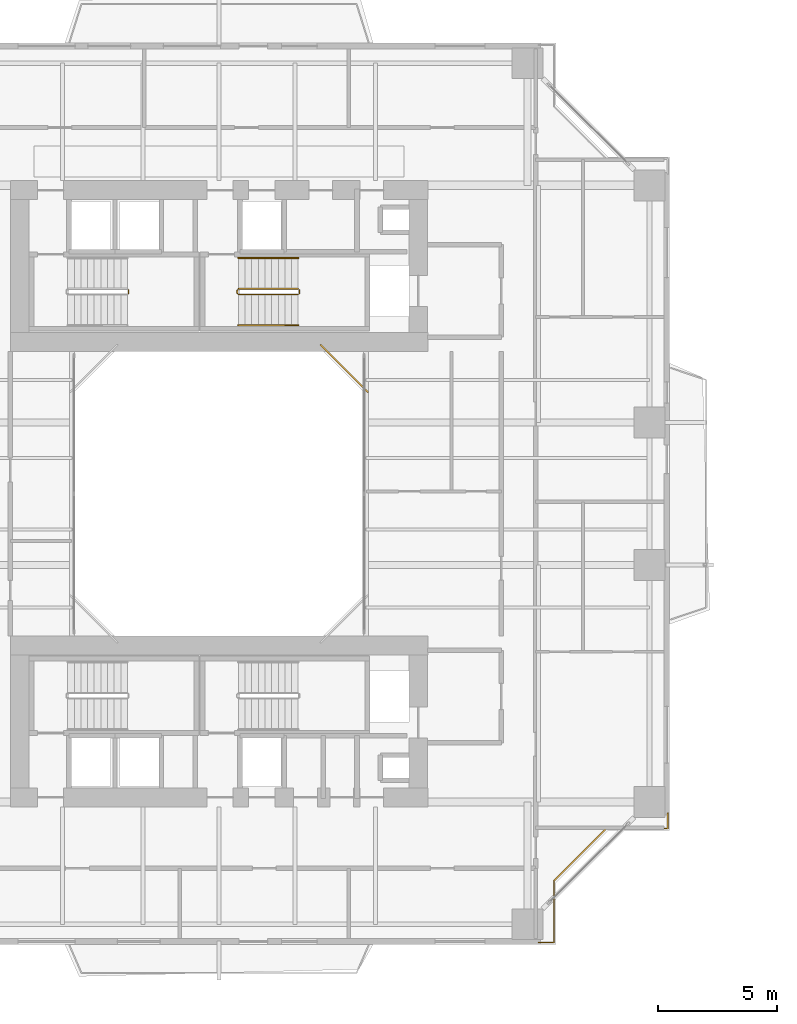
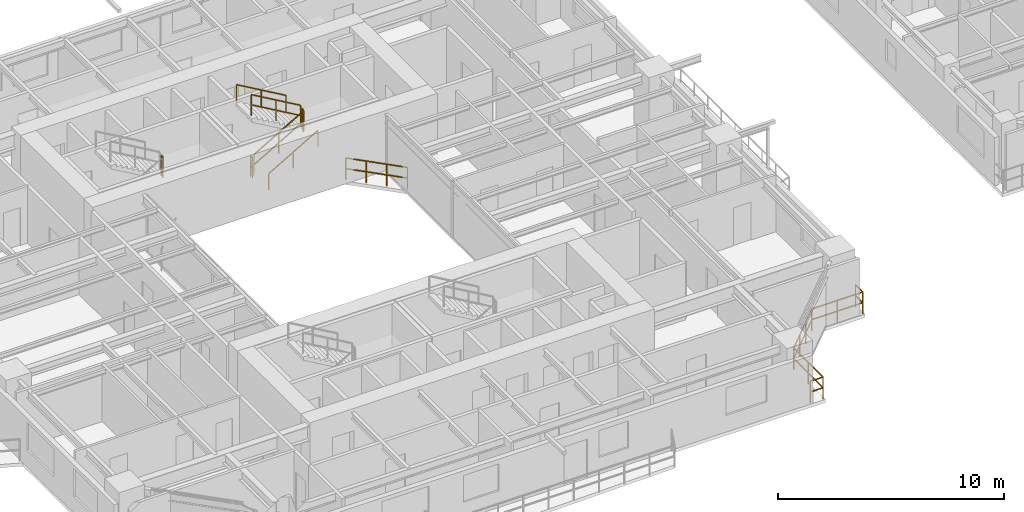
# One storey, part 21 of 23: 9 railings.
"""IFC4 building model written with IfcOpenShell, lengths in metres."""

from ifc_helpers import new_model, si_unit, direction, frame, origin, origin_2d, place, context, subcontext, project, spatial, rectangle, extrude, material, type_object, element, save


model = new_model("IFC4")

# Units and contexts
model_context = context("Model", 3, precision=1e-05, world=origin(), true_north=direction((0.0, 1.0)))
body_context = subcontext(model_context, "Body", "Model", "MODEL_VIEW")
ifc_project = project(units=[si_unit("LENGTHUNIT", "METRE"), si_unit("AREAUNIT", "SQUARE_METRE"), si_unit("VOLUMEUNIT", "CUBIC_METRE"), si_unit("PLANEANGLEUNIT", "RADIAN"), si_unit("MASSUNIT", "GRAM", prefix="KILO"), si_unit("THERMODYNAMICTEMPERATUREUNIT", "KELVIN"), si_unit("POWERUNIT", "WATT")], contexts=[model_context])

# Site, building, storey
site_placement = place(None, origin())
site = spatial("IfcSite", under=ifc_project, at=site_placement, CompositionType="ELEMENT")
building_placement = place(site_placement, origin())
building = spatial("IfcBuilding", under=site, at=building_placement, Name="Qiaomeng Ring Towers", CompositionType="ELEMENT")
storey_placement = place(building_placement, frame((0.0, 0.0, 86.0)))
storey = spatial("IfcBuildingStorey", under=building, at=storey_placement, Name="L24", CompositionType="ELEMENT", Elevation=86.0)

# Railings
ifc_material_1 = material(Name="Low-E pale-green laminated safety glass", Category="glass")
railing_type_1 = type_object("IfcRailingType", Name="ARC-RL-BAL1", PredefinedType="BALUSTRADE", material=ifc_material_1)
railing_1_placement = place(storey_placement, frame((25.280029296875, 27.280029296875, 0.0)))
element("IfcRailing", 1, at=railing_1_placement, inside=storey, type_object=railing_type_1, Name="L24 Balustrade ARC-BAL-WELL1-L24-2", PredefinedType="BALUSTRADE", context=body_context, shape_type="SweptSolid", body=[
    extrude(rectangle(XDim=0.048095703125, YDim=0.048095703125, at=origin_2d()), frame((0.0, 0.0, 1.17578125), z_axis=(-0.707106781187, 0.707106781187, 0.0), x_axis=(-0.707106781187, -0.707106781187, 0.0)), (0.0, 0.0, 1.0), 2.828369140625),
    extrude(rectangle(XDim=0.048095703125, YDim=0.048095703125, at=origin_2d()), frame((0.0, 0.0, 0.60009765625), z_axis=(-0.707106781187, 0.707106781187, 0.0), x_axis=(-0.707106781187, -0.707106781187, 0.0)), (0.0, 0.0, 1.0), 2.828369140625),
    extrude(rectangle(XDim=0.0419921875, YDim=0.0419921875, at=origin_2d()), origin(), (0.0, 0.0, 1.0), 1.15185546875),
    extrude(rectangle(XDim=0.0419921875, YDim=0.0419921875, at=origin_2d()), frame((-0.666748046875, 0.666748046875, 0.0)), (0.0, 0.0, 1.0), 1.15185546875),
    extrude(rectangle(XDim=0.0419921875, YDim=0.0419921875, at=origin_2d()), frame((-1.333251953125, 1.333251953125, 0.0)), (0.0, 0.0, 1.0), 1.15185546875),
    extrude(rectangle(XDim=0.0419921875, YDim=0.0419921875, at=origin_2d()), frame((-2.0, 2.0, 0.0)), (0.0, 0.0, 1.0), 1.15185546875),
])
railing_2_placement = place(storey_placement, frame((32.469970703125, 4.080078125, 0.0)))
element("IfcRailing", 2, at=railing_2_placement, inside=storey, type_object=railing_type_1, Name="L24 Balustrade ARC-BAL-NOTCH1-L24-SE", PredefinedType="BALUSTRADE", context=body_context, shape_type="SweptSolid", body=[
    extrude(rectangle(XDim=0.048095703125, YDim=0.048095703125, at=origin_2d()), frame((0.0, 0.0, 1.17578125), z_axis=(1.0, 0.0, 0.0), x_axis=(0.0, 1.0, 0.0)), (0.0, 0.0, 1.0), 0.650146484375),
    extrude(rectangle(XDim=0.048095703125, YDim=0.048095703125, at=origin_2d()), frame((0.0, 0.0, 0.60009765625), z_axis=(1.0, 0.0, 0.0), x_axis=(0.0, 1.0, 0.0)), (0.0, 0.0, 1.0), 0.650146484375),
    extrude(rectangle(XDim=0.048095703125, YDim=0.048095703125, at=origin_2d()), frame((0.650146484375, 0.0, 1.17578125), z_axis=(0.0, 1.0, 0.0), x_axis=(-1.0, 0.0, 0.0)), (0.0, 0.0, 1.0), 2.599853515625),
    extrude(rectangle(XDim=0.048095703125, YDim=0.048095703125, at=origin_2d()), frame((0.650146484375, 0.0, 0.60009765625), z_axis=(0.0, 1.0, 0.0), x_axis=(-1.0, 0.0, 0.0)), (0.0, 0.0, 1.0), 2.599853515625),
    extrude(rectangle(XDim=0.048095703125, YDim=0.048095703125, at=origin_2d()), frame((0.650146484375, 2.599853515625, 1.17578125), z_axis=(0.707106781187, 0.707106781187, 0.0), x_axis=(-0.707106781187, 0.707106781187, 0.0)), (0.0, 0.0, 1.0), 3.111083984375),
    extrude(rectangle(XDim=0.048095703125, YDim=0.048095703125, at=origin_2d()), frame((0.650146484375, 2.599853515625, 0.60009765625), z_axis=(0.707106781187, 0.707106781187, 0.0), x_axis=(-0.707106781187, 0.707106781187, 0.0)), (0.0, 0.0, 1.0), 3.111083984375),
    extrude(rectangle(XDim=0.048095703125, YDim=0.048095703125, at=origin_2d()), frame((2.85009765625, 4.7998046875, 1.17578125), z_axis=(1.0, 0.0, 0.0), x_axis=(0.0, 1.0, 0.0)), (0.0, 0.0, 1.0), 2.599853515625),
    extrude(rectangle(XDim=0.048095703125, YDim=0.048095703125, at=origin_2d()), frame((2.85009765625, 4.7998046875, 0.60009765625), z_axis=(1.0, 0.0, 0.0), x_axis=(0.0, 1.0, 0.0)), (0.0, 0.0, 1.0), 2.599853515625),
    extrude(rectangle(XDim=0.048095703125, YDim=0.048095703125, at=origin_2d()), frame((5.449951171875, 4.7998046875, 1.17578125), z_axis=(0.0, 1.0, 0.0), x_axis=(-1.0, 0.0, 0.0)), (0.0, 0.0, 1.0), 0.650146484375),
    extrude(rectangle(XDim=0.048095703125, YDim=0.048095703125, at=origin_2d()), frame((5.449951171875, 4.7998046875, 0.60009765625), z_axis=(0.0, 1.0, 0.0), x_axis=(-1.0, 0.0, 0.0)), (0.0, 0.0, 1.0), 0.650146484375),
    extrude(rectangle(XDim=0.0419921875, YDim=0.0419921875, at=origin_2d()), origin(), (0.0, 0.0, 1.0), 1.15185546875),
    extrude(rectangle(XDim=0.0419921875, YDim=0.0419921875, at=origin_2d()), frame((0.650146484375, 0.0, 0.0)), (0.0, 0.0, 1.0), 1.15185546875),
    extrude(rectangle(XDim=0.0419921875, YDim=0.0419921875, at=origin_2d()), frame((0.650146484375, 1.2998046875, 0.0)), (0.0, 0.0, 1.0), 1.15185546875),
    extrude(rectangle(XDim=0.0419921875, YDim=0.0419921875, at=origin_2d()), frame((0.650146484375, 2.599853515625, 0.0)), (0.0, 0.0, 1.0), 1.15185546875),
    extrude(rectangle(XDim=0.0419921875, YDim=0.0419921875, at=origin_2d()), frame((1.383544921875, 3.333251953125, 0.0)), (0.0, 0.0, 1.0), 1.15185546875),
    extrude(rectangle(XDim=0.0419921875, YDim=0.0419921875, at=origin_2d()), frame((2.11669921875, 4.06640625, 0.0)), (0.0, 0.0, 1.0), 1.15185546875),
    extrude(rectangle(XDim=0.0419921875, YDim=0.0419921875, at=origin_2d()), frame((2.85009765625, 4.7998046875, 0.0)), (0.0, 0.0, 1.0), 1.15185546875),
    extrude(rectangle(XDim=0.0419921875, YDim=0.0419921875, at=origin_2d()), frame((4.14990234375, 4.7998046875, 0.0)), (0.0, 0.0, 1.0), 1.15185546875),
    extrude(rectangle(XDim=0.0419921875, YDim=0.0419921875, at=origin_2d()), frame((5.449951171875, 4.7998046875, 0.0)), (0.0, 0.0, 1.0), 1.15185546875),
    extrude(rectangle(XDim=0.0419921875, YDim=0.0419921875, at=origin_2d()), frame((5.449951171875, 5.449951171875, 0.0)), (0.0, 0.0, 1.0), 1.15185546875),
])
ifc_material_2 = material(Name="Galvanised steel", Category="steel")
railing_type_2 = type_object("IfcRailingType", Name="ARC-RL-GUARD", PredefinedType="GUARDRAIL", material=ifc_material_2)
railing_3_placement = place(storey_placement, frame((15.18994140625, 31.449951171875, 1.625)))
element("IfcRailing", 3, at=railing_3_placement, inside=storey, type_object=railing_type_2, Name="L24 ST1 stair guard 2", PredefinedType="GUARDRAIL", context=body_context, shape_type="SweptSolid", body=[
    extrude(rectangle(XDim=0.048095703125, YDim=0.048095703125, at=origin_2d()), frame((0.0, 0.0, 1.1259765625), z_axis=(0.0, 1.0, 0.0), x_axis=(-1.0, 0.0, 0.0)), (0.0, 0.0, 1.0), 0.14013671875),
    extrude(rectangle(XDim=0.048095703125, YDim=0.048095703125, at=origin_2d()), frame((0.0, 0.0, 0.574951171875), z_axis=(0.0, 1.0, 0.0), x_axis=(-1.0, 0.0, 0.0)), (0.0, 0.0, 1.0), 0.14013671875),
    extrude(rectangle(XDim=0.0419921875, YDim=0.0419921875, at=origin_2d()), origin(), (0.0, 0.0, 1.0), 1.101806640625),
    extrude(rectangle(XDim=0.0419921875, YDim=0.0419921875, at=origin_2d()), frame((0.0, 0.14013671875, 0.0)), (0.0, 0.0, 1.0), 1.101806640625),
])
railing_4_placement = place(storey_placement, frame((19.820068359375, 31.39990234375, 0.16259765625)))
element("IfcRailing", 4, at=railing_4_placement, inside=storey, type_object=railing_type_2, Name="L24 ST2 stair guard 1", PredefinedType="GUARDRAIL", context=body_context, shape_type="SweptSolid", body=[
    extrude(rectangle(XDim=0.048095703125, YDim=0.048095703125, at=origin_2d()), frame((0.0, 0.0, 1.1259765625), z_axis=(0.864913338283, 0.0, 0.50192122615), x_axis=(0.0, 1.0, 0.0)), (0.0, 0.0, 1.0), 2.91357421875),
    extrude(rectangle(XDim=0.048095703125, YDim=0.048095703125, at=origin_2d()), frame((0.0, 0.0, 0.574951171875), z_axis=(0.864913338283, 0.0, 0.50192122615), x_axis=(0.0, 1.0, 0.0)), (0.0, 0.0, 1.0), 2.91357421875),
    extrude(rectangle(XDim=0.0419921875, YDim=0.0419921875, at=origin_2d()), origin(), (0.0, 0.0, 1.0), 1.101806640625),
    extrude(rectangle(XDim=0.0419921875, YDim=0.0419921875, at=origin_2d()), frame((1.260009765625, 0.0, 0.731201171875)), (0.0, 0.0, 1.0), 1.101806640625),
    extrude(rectangle(XDim=0.0419921875, YDim=0.0419921875, at=origin_2d()), frame((2.52001953125, 0.0, 1.46240234375)), (0.0, 0.0, 1.0), 1.101806640625),
])
railing_5_placement = place(storey_placement, frame((22.389892578125, 31.449951171875, 1.625)))
element("IfcRailing", 5, at=railing_5_placement, inside=storey, type_object=railing_type_2, Name="L24 ST2 stair guard 2", PredefinedType="GUARDRAIL", context=body_context, shape_type="SweptSolid", body=[
    extrude(rectangle(XDim=0.048095703125, YDim=0.048095703125, at=origin_2d()), frame((0.0, 0.0, 1.1259765625), z_axis=(0.0, 1.0, 0.0), x_axis=(-1.0, 0.0, 0.0)), (0.0, 0.0, 1.0), 0.14013671875),
    extrude(rectangle(XDim=0.048095703125, YDim=0.048095703125, at=origin_2d()), frame((0.0, 0.0, 0.574951171875), z_axis=(0.0, 1.0, 0.0), x_axis=(-1.0, 0.0, 0.0)), (0.0, 0.0, 1.0), 0.14013671875),
    extrude(rectangle(XDim=0.0419921875, YDim=0.0419921875, at=origin_2d()), origin(), (0.0, 0.0, 1.0), 1.101806640625),
    extrude(rectangle(XDim=0.0419921875, YDim=0.0419921875, at=origin_2d()), frame((0.0, 0.14013671875, 0.0)), (0.0, 0.0, 1.0), 1.101806640625),
])
railing_6_placement = place(storey_placement, frame((22.340087890625, 31.639892578125, 1.78759765625)))
element("IfcRailing", 6, at=railing_6_placement, inside=storey, type_object=railing_type_2, Name="L24 ST2 stair guard 3", PredefinedType="GUARDRAIL", context=body_context, shape_type="SweptSolid", body=[
    extrude(rectangle(XDim=0.048095703125, YDim=0.048095703125, at=origin_2d()), frame((0.0, 0.0, 1.1259765625), z_axis=(-0.864913338283, 0.0, 0.50192122615), x_axis=(0.0, -1.0, 0.0)), (0.0, 0.0, 1.0), 2.91357421875),
    extrude(rectangle(XDim=0.048095703125, YDim=0.048095703125, at=origin_2d()), frame((0.0, 0.0, 0.574951171875), z_axis=(-0.864913338283, 0.0, 0.50192122615), x_axis=(0.0, -1.0, 0.0)), (0.0, 0.0, 1.0), 2.91357421875),
    extrude(rectangle(XDim=0.0419921875, YDim=0.0419921875, at=origin_2d()), origin(), (0.0, 0.0, 1.0), 1.101806640625),
    extrude(rectangle(XDim=0.0419921875, YDim=0.0419921875, at=origin_2d()), frame((-1.260009765625, 0.0, 0.731201171875)), (0.0, 0.0, 1.0), 1.101806640625),
    extrude(rectangle(XDim=0.0419921875, YDim=0.0419921875, at=origin_2d()), frame((-2.52001953125, 0.0, 1.46240234375)), (0.0, 0.0, 1.0), 1.101806640625),
])
railing_7_placement = place(storey_placement, frame((19.77001953125, 31.449951171875, 0.0)))
element("IfcRailing", 7, at=railing_7_placement, inside=storey, type_object=railing_type_2, Name="L24 ST2 stair guard 4", PredefinedType="GUARDRAIL", context=body_context, shape_type="SweptSolid", body=[
    extrude(rectangle(XDim=0.048095703125, YDim=0.048095703125, at=origin_2d()), frame((0.0, 0.0, 1.1259765625), z_axis=(0.0, 1.0, 0.0), x_axis=(-1.0, 0.0, 0.0)), (0.0, 0.0, 1.0), 0.14013671875),
    extrude(rectangle(XDim=0.048095703125, YDim=0.048095703125, at=origin_2d()), frame((0.0, 0.0, 0.574951171875), z_axis=(0.0, 1.0, 0.0), x_axis=(-1.0, 0.0, 0.0)), (0.0, 0.0, 1.0), 0.14013671875),
    extrude(rectangle(XDim=0.0419921875, YDim=0.0419921875, at=origin_2d()), origin(), (0.0, 0.0, 1.0), 1.101806640625),
    extrude(rectangle(XDim=0.0419921875, YDim=0.0419921875, at=origin_2d()), frame((0.0, 0.14013671875, 0.0)), (0.0, 0.0, 1.0), 1.101806640625),
])
ifc_material_3 = material(Name="Stainless steel 316", Category="steel")
railing_type_3 = type_object("IfcRailingType", Name="ARC-RL-HAND", PredefinedType="HANDRAIL", material=ifc_material_3)
railing_8_placement = place(storey_placement, frame((19.820068359375, 30.10009765625, 0.16259765625)))
element("IfcRailing", 8, at=railing_8_placement, inside=storey, type_object=railing_type_3, Name="L24 ST2 stair handrail 1", PredefinedType="HANDRAIL", context=body_context, shape_type="SweptSolid", body=[
    extrude(rectangle(XDim=0.048095703125, YDim=0.048095703125, at=origin_2d()), frame((0.0, 0.0, 0.8759765625), z_axis=(0.864913338283, 0.0, 0.50192122615), x_axis=(0.0, 1.0, 0.0)), (0.0, 0.0, 1.0), 2.91357421875),
    extrude(rectangle(XDim=0.0419921875, YDim=0.0419921875, at=origin_2d()), origin(), (0.0, 0.0, 1.0), 0.851806640625),
    extrude(rectangle(XDim=0.0419921875, YDim=0.0419921875, at=origin_2d()), frame((1.260009765625, 0.0, 0.731201171875)), (0.0, 0.0, 1.0), 0.851806640625),
    extrude(rectangle(XDim=0.0419921875, YDim=0.0419921875, at=origin_2d()), frame((2.52001953125, 0.0, 1.46240234375)), (0.0, 0.0, 1.0), 0.851806640625),
])
railing_9_placement = place(storey_placement, frame((22.340087890625, 32.93994140625, 1.78759765625)))
element("IfcRailing", 9, at=railing_9_placement, inside=storey, type_object=railing_type_3, Name="L24 ST2 stair handrail 2", PredefinedType="HANDRAIL", context=body_context, shape_type="SweptSolid", body=[
    extrude(rectangle(XDim=0.048095703125, YDim=0.048095703125, at=origin_2d()), frame((0.0, 0.0, 0.8759765625), z_axis=(-0.864913338283, 0.0, 0.50192122615), x_axis=(0.0, -1.0, 0.0)), (0.0, 0.0, 1.0), 2.91357421875),
    extrude(rectangle(XDim=0.0419921875, YDim=0.0419921875, at=origin_2d()), origin(), (0.0, 0.0, 1.0), 0.851806640625),
    extrude(rectangle(XDim=0.0419921875, YDim=0.0419921875, at=origin_2d()), frame((-1.260009765625, 0.0, 0.731201171875)), (0.0, 0.0, 1.0), 0.851806640625),
    extrude(rectangle(XDim=0.0419921875, YDim=0.0419921875, at=origin_2d()), frame((-2.52001953125, 0.0, 1.46240234375)), (0.0, 0.0, 1.0), 0.851806640625),
])

save(model, "model.ifc")
